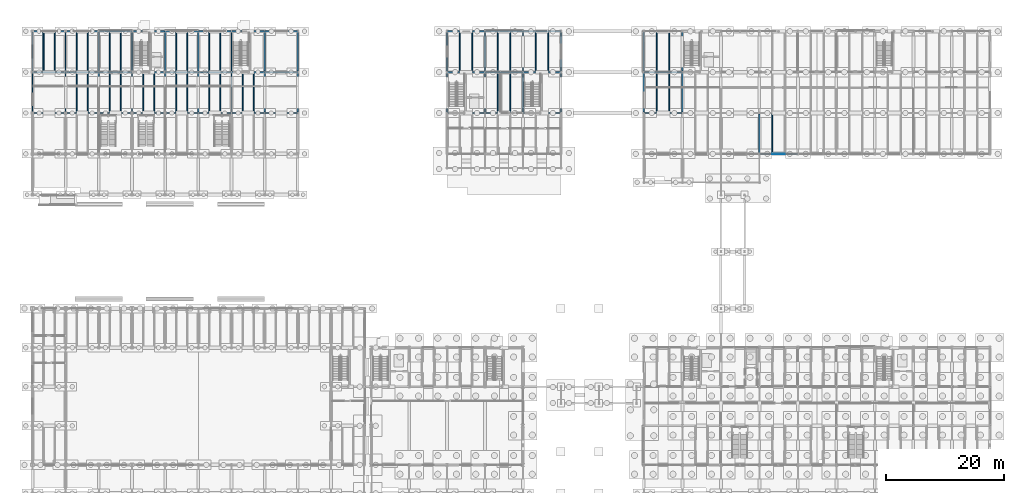
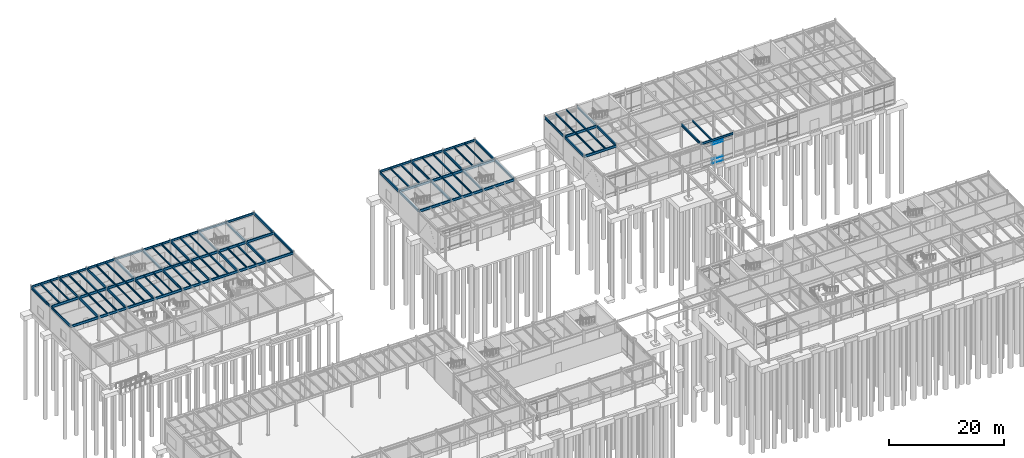
# One storey, part 41 of 82: 102 beams, 4 members, 1 element without a shape of its own.
"""IFC4 building model written with IfcOpenShell, lengths in metres."""

from ifc_helpers import new_model, si_unit, direction, frame, origin, origin_2d, place, context, subcontext, project, spatial, rectangle, i_section, extrude, material, layer, layer_set, material_profile, profile_set, type_object, element, aggregate, save


model = new_model("IFC4")

# Units and contexts
model_context = context("Model", 3, precision=1e-05, world=origin(), true_north=direction((0.0, 1.0)))
body_context = subcontext(model_context, "Body", "Model", "MODEL_VIEW")
ifc_project = project(units=[si_unit("LENGTHUNIT", "METRE"), si_unit("AREAUNIT", "SQUARE_METRE"), si_unit("VOLUMEUNIT", "CUBIC_METRE"), si_unit("PLANEANGLEUNIT", "RADIAN"), si_unit("MASSUNIT", "GRAM", prefix="KILO")], contexts=[model_context])

# Site, building, storey
site_placement = place(None, origin())
site = spatial("IfcSite", under=ifc_project, at=site_placement, CompositionType="ELEMENT")
building_placement = place(site_placement, origin())
building = spatial("IfcBuilding", under=site, at=building_placement, Name="Trelmorton Wharf Fire Station", CompositionType="ELEMENT")
storey_placement = place(building_placement, origin())
storey = spatial("IfcBuildingStorey", under=building, at=storey_placement, Name="L00", CompositionType="ELEMENT", Elevation=0.0)

# Beams
ifc_material_1 = material(Name="Steel Grade 350", Category="steel")
ifc_material_profile_1 = material_profile(ifc_material_1, i_section(OverallWidth=0.208984375, OverallDepth=0.532958984375, WebThickness=0.01025390625, FlangeThickness=0.015625, FilletRadius=0.013916015625, at=origin_2d()), Name="530UB92.4")
ifc_profile_set_1 = profile_set([ifc_material_profile_1], Name="Steel Grade 350")
beam_type_1 = type_object("IfcBeamType", Name="BM_530UB92", PredefinedType="BEAM", material=ifc_profile_set_1)
for number, where, z_axis, x_axis, name in (
    (1, (0.803955078125, 67.199951171875, 4.863525390625), (1.0, 0.0, 0.0), (0.0, 1.0, 0.0), "BM-L00-0150"),
    (2, (6.404052734375, 67.199951171875, 4.863525390625), (1.0, 0.0, 0.0), (0.0, 1.0, 0.0), "BM-L00-0151"),
    (3, (12.00390625, 67.199951171875, 4.863525390625), (1.0, 0.0, 0.0), (0.0, 1.0, 0.0), "BM-L00-0152"),
    (4, (17.60400390625, 67.199951171875, 4.863525390625), (1.0, 0.0, 0.0), (0.0, 1.0, 0.0), "BM-L00-0153"),
):
    element("IfcBeam", number, at=place(storey_placement, frame(where, z_axis=z_axis, x_axis=x_axis)), inside=storey, type_object=beam_type_1, Name=name, PredefinedType="BEAM", context=body_context, shape_type="SweptSolid", body=[
        extrude(i_section(OverallWidth=0.208984375, OverallDepth=0.532958984375, WebThickness=0.01025390625, FlangeThickness=0.015625, FilletRadius=0.013916015625, at=origin_2d()), origin(), (0.0, 0.0, 1.0), 5.592041015625),
    ])
beam_1_placement = place(storey_placement, frame((23.2041015625, 67.199951171875, 4.863525390625), z_axis=(1.0, 0.0, 0.0), x_axis=(0.0, 1.0, 0.0)))
element("IfcBeam", 5, at=beam_1_placement, inside=storey, type_object=beam_type_1, Name="BM-L00-0154", PredefinedType="BEAM", context=body_context, shape_type="SweptSolid", body=[
    extrude(i_section(OverallWidth=0.208984375, OverallDepth=0.532958984375, WebThickness=0.01025390625, FlangeThickness=0.015625, FilletRadius=0.013916015625, at=origin_2d()), origin(), (0.0, 0.0, 1.0), 5.591796875),
])
for number, where, z_axis, x_axis, name in (
    (6, (28.803955078125, 67.199951171875, 4.863525390625), (1.0, 0.0, 0.0), (0.0, 1.0, 0.0), "BM-L00-0155"),
    (7, (34.404052734375, 67.199951171875, 4.863525390625), (1.0, 0.0, 0.0), (0.0, 1.0, 0.0), "BM-L00-0156"),
    (8, (40.00390625, 67.199951171875, 4.863525390625), (1.0, 0.0, 0.0), (0.0, 1.0, 0.0), "BM-L00-0157"),
):
    element("IfcBeam", number, at=place(storey_placement, frame(where, z_axis=z_axis, x_axis=x_axis)), inside=storey, type_object=beam_type_1, Name=name, PredefinedType="BEAM", context=body_context, shape_type="SweptSolid", body=[
        extrude(i_section(OverallWidth=0.208984375, OverallDepth=0.532958984375, WebThickness=0.01025390625, FlangeThickness=0.015625, FilletRadius=0.013916015625, at=origin_2d()), origin(), (0.0, 0.0, 1.0), 5.592041015625),
    ])
for number, where, z_axis, x_axis, name in (
    (9, (70.805908203125, 67.199951171875, 4.863525390625), (1.0, 0.0, 0.0), (0.0, 1.0, 0.0), "BM-L00-0158"),
    (10, (77.205810546875, 67.199951171875, 4.863525390625), (1.0, 0.0, 0.0), (0.0, 1.0, 0.0), "BM-L00-0159"),
):
    element("IfcBeam", number, at=place(storey_placement, frame(where, z_axis=z_axis, x_axis=x_axis)), inside=storey, type_object=beam_type_1, Name=name, PredefinedType="BEAM", context=body_context, shape_type="SweptSolid", body=[
        extrude(i_section(OverallWidth=0.208984375, OverallDepth=0.532958984375, WebThickness=0.01025390625, FlangeThickness=0.015625, FilletRadius=0.013916015625, at=origin_2d()), origin(), (0.0, 0.0, 1.0), 6.38818359375),
    ])
beam_2_placement = place(storey_placement, frame((83.605712890625, 67.199951171875, 4.863525390625), z_axis=(1.0, 0.0, 0.0), x_axis=(0.0, 1.0, 0.0)))
element("IfcBeam", 11, at=beam_2_placement, inside=storey, type_object=beam_type_1, Name="BM-L00-0160", PredefinedType="BEAM", context=body_context, shape_type="SweptSolid", body=[
    extrude(i_section(OverallWidth=0.208984375, OverallDepth=0.532958984375, WebThickness=0.01025390625, FlangeThickness=0.015625, FilletRadius=0.013916015625, at=origin_2d()), origin(), (0.0, 0.0, 1.0), 6.388427734375),
])
beam_3_placement = place(storey_placement, frame((104.005859375, 67.199951171875, 4.863525390625), z_axis=(1.0, 0.0, 0.0), x_axis=(0.0, 1.0, 0.0)))
element("IfcBeam", 12, at=beam_3_placement, inside=storey, type_object=beam_type_1, Name="BM-L00-0161", PredefinedType="BEAM", context=body_context, shape_type="SweptSolid", body=[
    extrude(i_section(OverallWidth=0.208984375, OverallDepth=0.532958984375, WebThickness=0.01025390625, FlangeThickness=0.015625, FilletRadius=0.013916015625, at=origin_2d()), origin(), (0.0, 0.0, 1.0), 6.48828125),
])
for number, where, z_axis, x_axis, name in (
    (13, (0.803955078125, 74.10009765625, 4.863525390625), (1.0, 0.0, 0.0), (0.0, 1.0, 0.0), "BM-L00-0170"),
    (14, (6.404052734375, 74.10009765625, 4.863525390625), (1.0, 0.0, 0.0), (0.0, 1.0, 0.0), "BM-L00-0171"),
    (15, (12.00390625, 74.10009765625, 4.863525390625), (1.0, 0.0, 0.0), (0.0, 1.0, 0.0), "BM-L00-0172"),
    (16, (17.60400390625, 74.10009765625, 4.863525390625), (1.0, 0.0, 0.0), (0.0, 1.0, 0.0), "BM-L00-0173"),
):
    element("IfcBeam", number, at=place(storey_placement, frame(where, z_axis=z_axis, x_axis=x_axis)), inside=storey, type_object=beam_type_1, Name=name, PredefinedType="BEAM", context=body_context, shape_type="SweptSolid", body=[
        extrude(i_section(OverallWidth=0.208984375, OverallDepth=0.532958984375, WebThickness=0.01025390625, FlangeThickness=0.015625, FilletRadius=0.013916015625, at=origin_2d()), origin(), (0.0, 0.0, 1.0), 5.592041015625),
    ])
beam_4_placement = place(storey_placement, frame((23.2041015625, 74.10009765625, 4.863525390625), z_axis=(1.0, 0.0, 0.0), x_axis=(0.0, 1.0, 0.0)))
element("IfcBeam", 17, at=beam_4_placement, inside=storey, type_object=beam_type_1, Name="BM-L00-0174", PredefinedType="BEAM", context=body_context, shape_type="SweptSolid", body=[
    extrude(i_section(OverallWidth=0.208984375, OverallDepth=0.532958984375, WebThickness=0.01025390625, FlangeThickness=0.015625, FilletRadius=0.013916015625, at=origin_2d()), origin(), (0.0, 0.0, 1.0), 5.591796875),
])
for number, where, z_axis, x_axis, name in (
    (18, (28.803955078125, 74.10009765625, 4.863525390625), (1.0, 0.0, 0.0), (0.0, 1.0, 0.0), "BM-L00-0175"),
    (19, (34.404052734375, 74.10009765625, 4.863525390625), (1.0, 0.0, 0.0), (0.0, 1.0, 0.0), "BM-L00-0176"),
    (20, (40.00390625, 74.10009765625, 4.863525390625), (1.0, 0.0, 0.0), (0.0, 1.0, 0.0), "BM-L00-0177"),
):
    element("IfcBeam", number, at=place(storey_placement, frame(where, z_axis=z_axis, x_axis=x_axis)), inside=storey, type_object=beam_type_1, Name=name, PredefinedType="BEAM", context=body_context, shape_type="SweptSolid", body=[
        extrude(i_section(OverallWidth=0.208984375, OverallDepth=0.532958984375, WebThickness=0.01025390625, FlangeThickness=0.015625, FilletRadius=0.013916015625, at=origin_2d()), origin(), (0.0, 0.0, 1.0), 5.592041015625),
    ])
for number, where, z_axis, x_axis, name in (
    (21, (70.805908203125, 74.10009765625, 4.863525390625), (1.0, 0.0, 0.0), (0.0, 1.0, 0.0), "BM-L00-0178"),
    (22, (77.205810546875, 74.10009765625, 4.863525390625), (1.0, 0.0, 0.0), (0.0, 1.0, 0.0), "BM-L00-0179"),
):
    element("IfcBeam", number, at=place(storey_placement, frame(where, z_axis=z_axis, x_axis=x_axis)), inside=storey, type_object=beam_type_1, Name=name, PredefinedType="BEAM", context=body_context, shape_type="SweptSolid", body=[
        extrude(i_section(OverallWidth=0.208984375, OverallDepth=0.532958984375, WebThickness=0.01025390625, FlangeThickness=0.015625, FilletRadius=0.013916015625, at=origin_2d()), origin(), (0.0, 0.0, 1.0), 6.38818359375),
    ])
beam_5_placement = place(storey_placement, frame((83.605712890625, 74.10009765625, 4.863525390625), z_axis=(1.0, 0.0, 0.0), x_axis=(0.0, 1.0, 0.0)))
element("IfcBeam", 23, at=beam_5_placement, inside=storey, type_object=beam_type_1, Name="BM-L00-0180", PredefinedType="BEAM", context=body_context, shape_type="SweptSolid", body=[
    extrude(i_section(OverallWidth=0.208984375, OverallDepth=0.532958984375, WebThickness=0.01025390625, FlangeThickness=0.015625, FilletRadius=0.013916015625, at=origin_2d()), origin(), (0.0, 0.0, 1.0), 6.388427734375),
])
beam_6_placement = place(storey_placement, frame((104.005859375, 74.10009765625, 4.863525390625), z_axis=(1.0, 0.0, 0.0), x_axis=(0.0, 1.0, 0.0)))
element("IfcBeam", 24, at=beam_6_placement, inside=storey, type_object=beam_type_1, Name="BM-L00-0181", PredefinedType="BEAM", context=body_context, shape_type="SweptSolid", body=[
    extrude(i_section(OverallWidth=0.208984375, OverallDepth=0.532958984375, WebThickness=0.01025390625, FlangeThickness=0.015625, FilletRadius=0.013916015625, at=origin_2d()), origin(), (0.0, 0.0, 1.0), 6.48828125),
])
for number, where, z_axis, x_axis, name in (
    (25, (0.800048828125, 67.353515625, 4.863525390625), (0.0, 1.0, 0.0), (-1.0, 0.0, 0.0), "BM-L00-0217"),
    (26, (0.800048828125, 74.25341796875, 4.863525390625), (0.0, 1.0, 0.0), (-1.0, 0.0, 0.0), "BM-L00-0218"),
    (27, (6.39990234375, 67.353515625, 4.863525390625), (0.0, 1.0, 0.0), (-1.0, 0.0, 0.0), "BM-L00-0226"),
    (28, (6.39990234375, 74.25341796875, 4.863525390625), (0.0, 1.0, 0.0), (-1.0, 0.0, 0.0), "BM-L00-0227"),
    (29, (12.0, 67.353515625, 4.863525390625), (0.0, 1.0, 0.0), (-1.0, 0.0, 0.0), "BM-L00-0232"),
    (30, (12.0, 74.25341796875, 4.863525390625), (0.0, 1.0, 0.0), (-1.0, 0.0, 0.0), "BM-L00-0233"),
    (31, (17.60009765625, 67.353515625, 4.863525390625), (0.0, 1.0, 0.0), (-1.0, 0.0, 0.0), "BM-L00-0238"),
    (32, (17.60009765625, 74.25341796875, 4.863525390625), (0.0, 1.0, 0.0), (-1.0, 0.0, 0.0), "BM-L00-0239"),
    (33, (23.199951171875, 67.353515625, 4.863525390625), (0.0, 1.0, 0.0), (-1.0, 0.0, 0.0), "BM-L00-0244"),
    (34, (23.199951171875, 74.25341796875, 4.863525390625), (0.0, 1.0, 0.0), (-1.0, 0.0, 0.0), "BM-L00-0245"),
    (35, (28.800048828125, 67.353515625, 4.863525390625), (0.0, 1.0, 0.0), (-1.0, 0.0, 0.0), "BM-L00-0250"),
    (36, (28.800048828125, 74.25341796875, 4.863525390625), (0.0, 1.0, 0.0), (-1.0, 0.0, 0.0), "BM-L00-0251"),
    (37, (34.39990234375, 67.353515625, 4.863525390625), (0.0, 1.0, 0.0), (-1.0, 0.0, 0.0), "BM-L00-0256"),
    (38, (34.39990234375, 74.25341796875, 4.863525390625), (0.0, 1.0, 0.0), (-1.0, 0.0, 0.0), "BM-L00-0257"),
    (39, (40.0, 67.353515625, 4.863525390625), (0.0, 1.0, 0.0), (-1.0, 0.0, 0.0), "BM-L00-0262"),
    (40, (40.0, 74.25341796875, 4.863525390625), (0.0, 1.0, 0.0), (-1.0, 0.0, 0.0), "BM-L00-0263"),
    (41, (45.60009765625, 67.353515625, 4.863525390625), (0.0, 1.0, 0.0), (-1.0, 0.0, 0.0), "BM-L00-0268"),
    (42, (45.60009765625, 74.25341796875, 4.863525390625), (0.0, 1.0, 0.0), (-1.0, 0.0, 0.0), "BM-L00-0269"),
):
    element("IfcBeam", number, at=place(storey_placement, frame(where, z_axis=z_axis, x_axis=x_axis)), inside=storey, type_object=beam_type_1, Name=name, PredefinedType="BEAM", context=body_context, shape_type="SweptSolid", body=[
        extrude(i_section(OverallWidth=0.208984375, OverallDepth=0.532958984375, WebThickness=0.01025390625, FlangeThickness=0.015625, FilletRadius=0.013916015625, at=origin_2d()), origin(), (0.0, 0.0, 1.0), 6.593017578125),
    ])
beam_7_placement = place(storey_placement, frame((70.800048828125, 67.359619140625, 4.863525390625), z_axis=(0.0, 1.0, 0.0), x_axis=(-1.0, 0.0, 0.0)))
element("IfcBeam", 43, at=beam_7_placement, inside=storey, type_object=beam_type_1, Name="BM-L00-0290", PredefinedType="BEAM", context=body_context, shape_type="SweptSolid", body=[
    extrude(i_section(OverallWidth=0.208984375, OverallDepth=0.532958984375, WebThickness=0.01025390625, FlangeThickness=0.015625, FilletRadius=0.013916015625, at=origin_2d()), origin(), (0.0, 0.0, 1.0), 6.580810546875),
])
beam_8_placement = place(storey_placement, frame((70.800048828125, 74.259521484375, 4.863525390625), z_axis=(0.0, 1.0, 0.0), x_axis=(-1.0, 0.0, 0.0)))
element("IfcBeam", 44, at=beam_8_placement, inside=storey, type_object=beam_type_1, Name="BM-L00-0291", PredefinedType="BEAM", context=body_context, shape_type="SweptSolid", body=[
    extrude(i_section(OverallWidth=0.208984375, OverallDepth=0.532958984375, WebThickness=0.01025390625, FlangeThickness=0.015625, FilletRadius=0.013916015625, at=origin_2d()), origin(), (0.0, 0.0, 1.0), 6.5810546875),
])
beam_9_placement = place(storey_placement, frame((77.199951171875, 67.359619140625, 4.863525390625), z_axis=(0.0, 1.0, 0.0), x_axis=(-1.0, 0.0, 0.0)))
element("IfcBeam", 45, at=beam_9_placement, inside=storey, type_object=beam_type_1, Name="BM-L00-0296", PredefinedType="BEAM", context=body_context, shape_type="SweptSolid", body=[
    extrude(i_section(OverallWidth=0.208984375, OverallDepth=0.532958984375, WebThickness=0.01025390625, FlangeThickness=0.015625, FilletRadius=0.013916015625, at=origin_2d()), origin(), (0.0, 0.0, 1.0), 6.580810546875),
])
beam_10_placement = place(storey_placement, frame((77.199951171875, 74.259521484375, 4.863525390625), z_axis=(0.0, 1.0, 0.0), x_axis=(-1.0, 0.0, 0.0)))
element("IfcBeam", 46, at=beam_10_placement, inside=storey, type_object=beam_type_1, Name="BM-L00-0297", PredefinedType="BEAM", context=body_context, shape_type="SweptSolid", body=[
    extrude(i_section(OverallWidth=0.208984375, OverallDepth=0.532958984375, WebThickness=0.01025390625, FlangeThickness=0.015625, FilletRadius=0.013916015625, at=origin_2d()), origin(), (0.0, 0.0, 1.0), 6.5810546875),
])
beam_11_placement = place(storey_placement, frame((83.60009765625, 67.359619140625, 4.863525390625), z_axis=(0.0, 1.0, 0.0), x_axis=(-1.0, 0.0, 0.0)))
element("IfcBeam", 47, at=beam_11_placement, inside=storey, type_object=beam_type_1, Name="BM-L00-0304", PredefinedType="BEAM", context=body_context, shape_type="SweptSolid", body=[
    extrude(i_section(OverallWidth=0.208984375, OverallDepth=0.532958984375, WebThickness=0.01025390625, FlangeThickness=0.015625, FilletRadius=0.013916015625, at=origin_2d()), origin(), (0.0, 0.0, 1.0), 6.580810546875),
])
beam_12_placement = place(storey_placement, frame((83.60009765625, 74.259521484375, 4.863525390625), z_axis=(0.0, 1.0, 0.0), x_axis=(-1.0, 0.0, 0.0)))
element("IfcBeam", 48, at=beam_12_placement, inside=storey, type_object=beam_type_1, Name="BM-L00-0305", PredefinedType="BEAM", context=body_context, shape_type="SweptSolid", body=[
    extrude(i_section(OverallWidth=0.208984375, OverallDepth=0.532958984375, WebThickness=0.01025390625, FlangeThickness=0.015625, FilletRadius=0.013916015625, at=origin_2d()), origin(), (0.0, 0.0, 1.0), 6.5810546875),
])
beam_13_placement = place(storey_placement, frame((90.0, 67.359619140625, 4.863525390625), z_axis=(0.0, 1.0, 0.0), x_axis=(-1.0, 0.0, 0.0)))
element("IfcBeam", 49, at=beam_13_placement, inside=storey, type_object=beam_type_1, Name="BM-L00-0309", PredefinedType="BEAM", context=body_context, shape_type="SweptSolid", body=[
    extrude(i_section(OverallWidth=0.208984375, OverallDepth=0.532958984375, WebThickness=0.01025390625, FlangeThickness=0.015625, FilletRadius=0.013916015625, at=origin_2d()), origin(), (0.0, 0.0, 1.0), 6.580810546875),
])
beam_14_placement = place(storey_placement, frame((90.0, 74.259521484375, 4.863525390625), z_axis=(0.0, 1.0, 0.0), x_axis=(-1.0, 0.0, 0.0)))
element("IfcBeam", 50, at=beam_14_placement, inside=storey, type_object=beam_type_1, Name="BM-L00-0310", PredefinedType="BEAM", context=body_context, shape_type="SweptSolid", body=[
    extrude(i_section(OverallWidth=0.208984375, OverallDepth=0.532958984375, WebThickness=0.01025390625, FlangeThickness=0.015625, FilletRadius=0.013916015625, at=origin_2d()), origin(), (0.0, 0.0, 1.0), 6.5810546875),
])
beam_15_placement = place(storey_placement, frame((104.0, 67.359619140625, 4.863525390625), z_axis=(0.0, 1.0, 0.0), x_axis=(-1.0, 0.0, 0.0)))
element("IfcBeam", 51, at=beam_15_placement, inside=storey, type_object=beam_type_1, Name="BM-L00-0319", PredefinedType="BEAM", context=body_context, shape_type="SweptSolid", body=[
    extrude(i_section(OverallWidth=0.208984375, OverallDepth=0.532958984375, WebThickness=0.01025390625, FlangeThickness=0.015625, FilletRadius=0.013916015625, at=origin_2d()), origin(), (0.0, 0.0, 1.0), 6.580810546875),
])
beam_16_placement = place(storey_placement, frame((104.0, 74.259521484375, 4.863525390625), z_axis=(0.0, 1.0, 0.0), x_axis=(-1.0, 0.0, 0.0)))
element("IfcBeam", 52, at=beam_16_placement, inside=storey, type_object=beam_type_1, Name="BM-L00-0320", PredefinedType="BEAM", context=body_context, shape_type="SweptSolid", body=[
    extrude(i_section(OverallWidth=0.208984375, OverallDepth=0.532958984375, WebThickness=0.01025390625, FlangeThickness=0.015625, FilletRadius=0.013916015625, at=origin_2d()), origin(), (0.0, 0.0, 1.0), 6.5810546875),
])
beam_17_placement = place(storey_placement, frame((110.5, 67.359619140625, 4.863525390625), z_axis=(0.0, 1.0, 0.0), x_axis=(-1.0, 0.0, 0.0)))
element("IfcBeam", 53, at=beam_17_placement, inside=storey, type_object=beam_type_1, Name="BM-L00-0327", PredefinedType="BEAM", context=body_context, shape_type="SweptSolid", body=[
    extrude(i_section(OverallWidth=0.208984375, OverallDepth=0.532958984375, WebThickness=0.01025390625, FlangeThickness=0.015625, FilletRadius=0.013916015625, at=origin_2d()), origin(), (0.0, 0.0, 1.0), 6.580810546875),
])
for number, where, z_axis, x_axis, name in (
    (54, (110.5, 74.259521484375, 4.863525390625), (0.0, 1.0, 0.0), (-1.0, 0.0, 0.0), "BM-L00-0328"),
    (55, (123.5, 60.45947265625, 4.863525390625), (0.0, 1.0, 0.0), (-1.0, 0.0, 0.0), "BM-L00-0348"),
):
    element("IfcBeam", number, at=place(storey_placement, frame(where, z_axis=z_axis, x_axis=x_axis)), inside=storey, type_object=beam_type_1, Name=name, PredefinedType="BEAM", context=body_context, shape_type="SweptSolid", body=[
        extrude(i_section(OverallWidth=0.208984375, OverallDepth=0.532958984375, WebThickness=0.01025390625, FlangeThickness=0.015625, FilletRadius=0.013916015625, at=origin_2d()), origin(), (0.0, 0.0, 1.0), 6.5810546875),
    ])

# Curtain wall, members
ifc_material_2 = material(Name="Anodised aluminium AW-6063", Category="aluminium")
ifc_layer = layer(ifc_material_2, 0.159912109375)
ifc_layer_set = layer_set([ifc_layer], Name="Anodised aluminium AW-6063")
curtain_wall_type = type_object("IfcCurtainWallType", Name="CW_CHIC_A", PredefinedType="USERDEFINED", material=ifc_layer_set)
curtain_wall_placement = place(storey_placement, origin())
curtain_wall = element("IfcCurtainWall", 56, at=curtain_wall_placement, inside=storey, type_object=curtain_wall_type, Name="CW-V4-L00-115", ObjectType="CHICAGO BAY CURTAIN WALL", PredefinedType="USERDEFINED")
ifc_material_profile_2 = material_profile(ifc_material_2, rectangle(XDim=0.06494140625, YDim=0.139892578125, at=origin_2d()), Name="ALU-65x140")
ifc_profile_set_2 = profile_set([ifc_material_profile_2], Name="Anodised aluminium AW-6063")
member_type = type_object("IfcMemberType", Name="CWT_65x140", PredefinedType="USERDEFINED", material=ifc_profile_set_2)
member_1_placement = place(storey_placement, frame((127.8017578125, 60.300048828125, 0.030029296875), z_axis=(-1.0, 0.0, 0.0), x_axis=(0.0, -1.0, 0.0)))
member_1 = element("IfcMember", 57, at=member_1_placement, type_object=member_type, Name="CW1 transom 2.1", ObjectType="TRANSOM", PredefinedType="USERDEFINED", context=body_context, shape_type="SweptSolid", body=[
    extrude(rectangle(XDim=0.06494140625, YDim=0.139892578125, at=origin_2d()), origin(), (0.0, 0.0, 1.0), 2.103515625),
])
member_2_placement = place(storey_placement, frame((127.8017578125, 60.300048828125, 0.85009765625), z_axis=(-1.0, 0.0, 0.0), x_axis=(0.0, -1.0, 0.0)))
member_2 = element("IfcMember", 58, at=member_2_placement, type_object=member_type, Name="CW1 transom 2.2", ObjectType="TRANSOM", PredefinedType="USERDEFINED", context=body_context, shape_type="SweptSolid", body=[
    extrude(rectangle(XDim=0.06494140625, YDim=0.139892578125, at=origin_2d()), origin(), (0.0, 0.0, 1.0), 2.103515625),
])
member_3_placement = place(storey_placement, frame((127.8017578125, 60.300048828125, 4.02001953125), z_axis=(-1.0, 0.0, 0.0), x_axis=(0.0, -1.0, 0.0)))
member_3 = element("IfcMember", 59, at=member_3_placement, type_object=member_type, Name="CW1 transom 2.3", ObjectType="TRANSOM", PredefinedType="USERDEFINED", context=body_context, shape_type="SweptSolid", body=[
    extrude(rectangle(XDim=0.06494140625, YDim=0.139892578125, at=origin_2d()), origin(), (0.0, 0.0, 1.0), 2.103515625),
])
member_4_placement = place(storey_placement, frame((127.8017578125, 60.300048828125, 4.489990234375), z_axis=(-1.0, 0.0, 0.0), x_axis=(0.0, -1.0, 0.0)))
member_4 = element("IfcMember", 60, at=member_4_placement, type_object=member_type, Name="CW1 transom 2.4", ObjectType="TRANSOM", PredefinedType="USERDEFINED", context=body_context, shape_type="SweptSolid", body=[
    extrude(rectangle(XDim=0.06494140625, YDim=0.139892578125, at=origin_2d()), origin(), (0.0, 0.0, 1.0), 2.103515625),
])
aggregate(curtain_wall, [member_1, member_2, member_3, member_4])

# Beams
ifc_material_profile_3 = material_profile(ifc_material_1, i_section(OverallWidth=0.172119140625, OverallDepth=0.35888671875, WebThickness=0.008056640625, FlangeThickness=0.012939453125, FilletRadius=0.011474609375, at=origin_2d()), Name="360UB56.7")
ifc_profile_set_3 = profile_set([ifc_material_profile_3], Name="Steel Grade 350")
beam_type_2 = type_object("IfcBeamType", Name="JS_360UB57", PredefinedType="JOIST", material=ifc_profile_set_3)
for number, where, z_axis, x_axis, name in (
    (61, (2.666748046875, 74.18994140625, 4.950439453125), (0.0, 1.0, 0.0), (-1.0, 0.0, 0.0), "JS-L00-0007"),
    (62, (4.533203125, 74.18994140625, 4.950439453125), (0.0, 1.0, 0.0), (-1.0, 0.0, 0.0), "JS-L00-0008"),
    (63, (8.2666015625, 67.2900390625, 4.950439453125), (0.0, 1.0, 0.0), (-1.0, 0.0, 0.0), "JS-L00-0013"),
    (64, (10.13330078125, 67.2900390625, 4.950439453125), (0.0, 1.0, 0.0), (-1.0, 0.0, 0.0), "JS-L00-0014"),
    (65, (8.2666015625, 74.18994140625, 4.950439453125), (0.0, 1.0, 0.0), (-1.0, 0.0, 0.0), "JS-L00-0015"),
    (66, (10.13330078125, 74.18994140625, 4.950439453125), (0.0, 1.0, 0.0), (-1.0, 0.0, 0.0), "JS-L00-0016"),
    (67, (13.86669921875, 67.2900390625, 4.950439453125), (0.0, 1.0, 0.0), (-1.0, 0.0, 0.0), "JS-L00-0019"),
    (68, (15.7333984375, 67.2900390625, 4.950439453125), (0.0, 1.0, 0.0), (-1.0, 0.0, 0.0), "JS-L00-0020"),
    (69, (13.86669921875, 74.18994140625, 4.950439453125), (0.0, 1.0, 0.0), (-1.0, 0.0, 0.0), "JS-L00-0021"),
    (70, (15.7333984375, 74.18994140625, 4.950439453125), (0.0, 1.0, 0.0), (-1.0, 0.0, 0.0), "JS-L00-0022"),
    (71, (19.466796875, 67.2900390625, 4.950439453125), (0.0, 1.0, 0.0), (-1.0, 0.0, 0.0), "JS-L00-0025"),
    (72, (21.333251953125, 67.2900390625, 4.950439453125), (0.0, 1.0, 0.0), (-1.0, 0.0, 0.0), "JS-L00-0026"),
    (73, (25.066650390625, 67.2900390625, 4.950439453125), (0.0, 1.0, 0.0), (-1.0, 0.0, 0.0), "JS-L00-0031"),
    (74, (26.933349609375, 67.2900390625, 4.950439453125), (0.0, 1.0, 0.0), (-1.0, 0.0, 0.0), "JS-L00-0032"),
    (75, (25.066650390625, 74.18994140625, 4.950439453125), (0.0, 1.0, 0.0), (-1.0, 0.0, 0.0), "JS-L00-0033"),
    (76, (26.933349609375, 74.18994140625, 4.950439453125), (0.0, 1.0, 0.0), (-1.0, 0.0, 0.0), "JS-L00-0034"),
    (77, (30.666748046875, 67.2900390625, 4.950439453125), (0.0, 1.0, 0.0), (-1.0, 0.0, 0.0), "JS-L00-0037"),
    (78, (32.533203125, 67.2900390625, 4.950439453125), (0.0, 1.0, 0.0), (-1.0, 0.0, 0.0), "JS-L00-0038"),
    (79, (30.666748046875, 74.18994140625, 4.950439453125), (0.0, 1.0, 0.0), (-1.0, 0.0, 0.0), "JS-L00-0039"),
    (80, (32.533203125, 74.18994140625, 4.950439453125), (0.0, 1.0, 0.0), (-1.0, 0.0, 0.0), "JS-L00-0040"),
    (81, (36.2666015625, 67.2900390625, 4.950439453125), (0.0, 1.0, 0.0), (-1.0, 0.0, 0.0), "JS-L00-0045"),
    (82, (38.13330078125, 67.2900390625, 4.950439453125), (0.0, 1.0, 0.0), (-1.0, 0.0, 0.0), "JS-L00-0046"),
    (83, (72.933349609375, 74.18994140625, 4.950439453125), (0.0, 1.0, 0.0), (-1.0, 0.0, 0.0), "JS-L00-0061"),
    (84, (75.066650390625, 74.18994140625, 4.950439453125), (0.0, 1.0, 0.0), (-1.0, 0.0, 0.0), "JS-L00-0062"),
    (85, (79.333251953125, 67.2900390625, 4.950439453125), (0.0, 1.0, 0.0), (-1.0, 0.0, 0.0), "JS-L00-0065"),
    (86, (81.466796875, 67.2900390625, 4.950439453125), (0.0, 1.0, 0.0), (-1.0, 0.0, 0.0), "JS-L00-0066"),
    (87, (79.333251953125, 74.18994140625, 4.950439453125), (0.0, 1.0, 0.0), (-1.0, 0.0, 0.0), "JS-L00-0067"),
    (88, (81.466796875, 74.18994140625, 4.950439453125), (0.0, 1.0, 0.0), (-1.0, 0.0, 0.0), "JS-L00-0068"),
    (89, (85.7333984375, 74.18994140625, 4.950439453125), (0.0, 1.0, 0.0), (-1.0, 0.0, 0.0), "JS-L00-0071"),
    (90, (87.86669921875, 74.18994140625, 4.950439453125), (0.0, 1.0, 0.0), (-1.0, 0.0, 0.0), "JS-L00-0072"),
    (91, (106.166748046875, 67.2900390625, 4.950439453125), (0.0, 1.0, 0.0), (-1.0, 0.0, 0.0), "JS-L00-0075"),
    (92, (108.333251953125, 67.2900390625, 4.950439453125), (0.0, 1.0, 0.0), (-1.0, 0.0, 0.0), "JS-L00-0076"),
    (93, (106.166748046875, 74.18994140625, 4.950439453125), (0.0, 1.0, 0.0), (-1.0, 0.0, 0.0), "JS-L00-0077"),
    (94, (108.333251953125, 74.18994140625, 4.950439453125), (0.0, 1.0, 0.0), (-1.0, 0.0, 0.0), "JS-L00-0078"),
):
    element("IfcBeam", number, at=place(storey_placement, frame(where, z_axis=z_axis, x_axis=x_axis)), inside=storey, type_object=beam_type_2, Name=name, PredefinedType="JOIST", context=body_context, shape_type="SweptSolid", body=[
        extrude(i_section(OverallWidth=0.172119140625, OverallDepth=0.35888671875, WebThickness=0.008056640625, FlangeThickness=0.012939453125, FilletRadius=0.011474609375, at=origin_2d()), origin(), (0.0, 0.0, 1.0), 6.719970703125),
    ])
beam_18_placement = place(storey_placement, frame((125.666748046875, 60.389892578125, 4.950439453125), z_axis=(0.0, 1.0, 0.0), x_axis=(-1.0, 0.0, 0.0)))
element("IfcBeam", 95, at=beam_18_placement, inside=storey, type_object=beam_type_2, Name="JS-L00-0089", PredefinedType="JOIST", context=body_context, shape_type="SweptSolid", body=[
    extrude(i_section(OverallWidth=0.172119140625, OverallDepth=0.35888671875, WebThickness=0.008056640625, FlangeThickness=0.012939453125, FilletRadius=0.011474609375, at=origin_2d()), origin(), (0.0, 0.0, 1.0), 6.72021484375),
])
ifc_material_profile_4 = material_profile(ifc_material_1, i_section(OverallWidth=0.18994140625, OverallDepth=0.45703125, WebThickness=0.009033203125, FlangeThickness=0.014404296875, FilletRadius=0.011474609375, at=origin_2d()), Name="460UB74.6")
ifc_profile_set_4 = profile_set([ifc_material_profile_4], Name="Steel Grade 350")
beam_type_3 = type_object("IfcBeamType", Name="SP_460UB75", PredefinedType="SPANDREL", material=ifc_profile_set_4)
beam_19_placement = place(storey_placement, frame((123.505859375, 60.300048828125, 4.901611328125), z_axis=(1.0, 0.0, 0.0), x_axis=(0.0, 1.0, 0.0)))
element("IfcBeam", 96, at=beam_19_placement, inside=storey, type_object=beam_type_3, Name="BM-L00-0144", PredefinedType="SPANDREL", context=body_context, shape_type="SweptSolid", body=[
    extrude(i_section(OverallWidth=0.18994140625, OverallDepth=0.45703125, WebThickness=0.009033203125, FlangeThickness=0.014404296875, FilletRadius=0.011474609375, at=origin_2d()), origin(), (0.0, 0.0, 1.0), 6.48828125),
])
for number, where, z_axis, x_axis, name in (
    (97, (0.803955078125, 81.0, 4.901611328125), (1.0, 0.0, 0.0), (0.0, 1.0, 0.0), "BM-L00-0190"),
    (98, (6.404052734375, 81.0, 4.901611328125), (1.0, 0.0, 0.0), (0.0, 1.0, 0.0), "BM-L00-0191"),
    (99, (12.00390625, 81.0, 4.901611328125), (1.0, 0.0, 0.0), (0.0, 1.0, 0.0), "BM-L00-0192"),
    (100, (17.60400390625, 81.0, 4.901611328125), (1.0, 0.0, 0.0), (0.0, 1.0, 0.0), "BM-L00-0193"),
):
    element("IfcBeam", number, at=place(storey_placement, frame(where, z_axis=z_axis, x_axis=x_axis)), inside=storey, type_object=beam_type_3, Name=name, PredefinedType="SPANDREL", context=body_context, shape_type="SweptSolid", body=[
        extrude(i_section(OverallWidth=0.18994140625, OverallDepth=0.45703125, WebThickness=0.009033203125, FlangeThickness=0.014404296875, FilletRadius=0.011474609375, at=origin_2d()), origin(), (0.0, 0.0, 1.0), 5.592041015625),
    ])
beam_20_placement = place(storey_placement, frame((23.2041015625, 81.0, 4.901611328125), z_axis=(1.0, 0.0, 0.0), x_axis=(0.0, 1.0, 0.0)))
element("IfcBeam", 101, at=beam_20_placement, inside=storey, type_object=beam_type_3, Name="BM-L00-0194", PredefinedType="SPANDREL", context=body_context, shape_type="SweptSolid", body=[
    extrude(i_section(OverallWidth=0.18994140625, OverallDepth=0.45703125, WebThickness=0.009033203125, FlangeThickness=0.014404296875, FilletRadius=0.011474609375, at=origin_2d()), origin(), (0.0, 0.0, 1.0), 5.591796875),
])
for number, where, z_axis, x_axis, name in (
    (102, (28.803955078125, 81.0, 4.901611328125), (1.0, 0.0, 0.0), (0.0, 1.0, 0.0), "BM-L00-0195"),
    (103, (34.404052734375, 81.0, 4.901611328125), (1.0, 0.0, 0.0), (0.0, 1.0, 0.0), "BM-L00-0196"),
    (104, (40.00390625, 81.0, 4.901611328125), (1.0, 0.0, 0.0), (0.0, 1.0, 0.0), "BM-L00-0197"),
):
    element("IfcBeam", number, at=place(storey_placement, frame(where, z_axis=z_axis, x_axis=x_axis)), inside=storey, type_object=beam_type_3, Name=name, PredefinedType="SPANDREL", context=body_context, shape_type="SweptSolid", body=[
        extrude(i_section(OverallWidth=0.18994140625, OverallDepth=0.45703125, WebThickness=0.009033203125, FlangeThickness=0.014404296875, FilletRadius=0.011474609375, at=origin_2d()), origin(), (0.0, 0.0, 1.0), 5.592041015625),
    ])
for number, where, z_axis, x_axis, name in (
    (105, (70.805908203125, 81.0, 4.901611328125), (1.0, 0.0, 0.0), (0.0, 1.0, 0.0), "BM-L00-0198"),
    (106, (77.205810546875, 81.0, 4.901611328125), (1.0, 0.0, 0.0), (0.0, 1.0, 0.0), "BM-L00-0199"),
):
    element("IfcBeam", number, at=place(storey_placement, frame(where, z_axis=z_axis, x_axis=x_axis)), inside=storey, type_object=beam_type_3, Name=name, PredefinedType="SPANDREL", context=body_context, shape_type="SweptSolid", body=[
        extrude(i_section(OverallWidth=0.18994140625, OverallDepth=0.45703125, WebThickness=0.009033203125, FlangeThickness=0.014404296875, FilletRadius=0.011474609375, at=origin_2d()), origin(), (0.0, 0.0, 1.0), 6.38818359375),
    ])
beam_21_placement = place(storey_placement, frame((83.605712890625, 81.0, 4.901611328125), z_axis=(1.0, 0.0, 0.0), x_axis=(0.0, 1.0, 0.0)))
element("IfcBeam", 107, at=beam_21_placement, inside=storey, type_object=beam_type_3, Name="BM-L00-0200", PredefinedType="SPANDREL", context=body_context, shape_type="SweptSolid", body=[
    extrude(i_section(OverallWidth=0.18994140625, OverallDepth=0.45703125, WebThickness=0.009033203125, FlangeThickness=0.014404296875, FilletRadius=0.011474609375, at=origin_2d()), origin(), (0.0, 0.0, 1.0), 6.388427734375),
])

save(model, "model.ifc")
